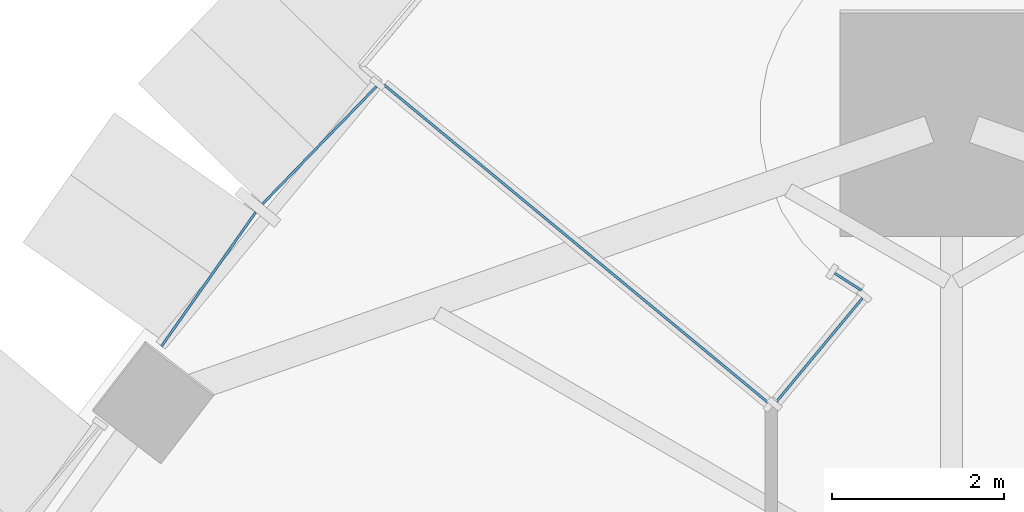
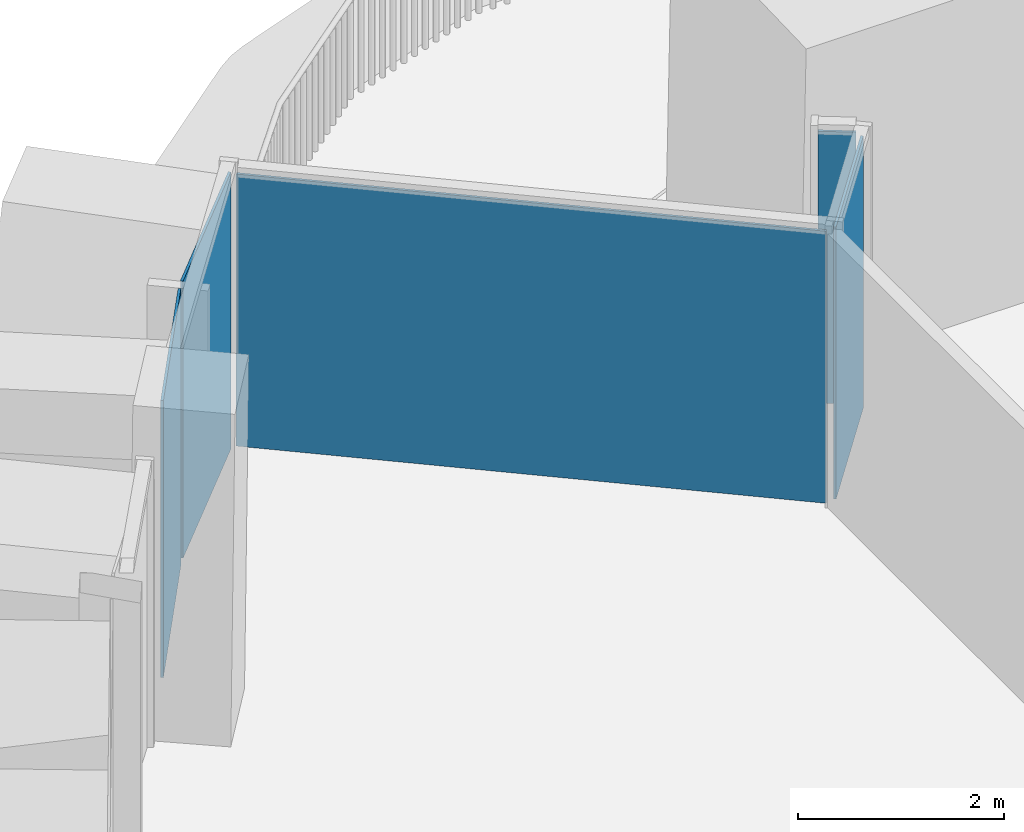
# One storey, part 11 of 22: 5 plates, 4 elements without a shape of their own.
"""IFC4 building model written with IfcOpenShell, lengths in metres."""

from ifc_helpers import new_model, si_unit, direction, frame, origin, origin_2d, place, context, subcontext, project, spatial, polyline, rectangle, outline, extrude, material, layer, layer_set, type_object, element, aggregate, save


model = new_model("IFC4")

# Units and contexts
model_context = context("Model", 3, precision=1e-05, world=origin(), true_north=direction((0.0, 1.0)))
body_context = subcontext(model_context, "Body", "Model", "MODEL_VIEW")
ifc_project = project(units=[si_unit("LENGTHUNIT", "METRE"), si_unit("AREAUNIT", "SQUARE_METRE"), si_unit("VOLUMEUNIT", "CUBIC_METRE"), si_unit("PLANEANGLEUNIT", "RADIAN"), si_unit("MASSUNIT", "GRAM", prefix="KILO")], contexts=[model_context])

# Site, building, storey
site_placement = place(None, origin())
site = spatial("IfcSite", under=ifc_project, at=site_placement, CompositionType="ELEMENT")
building_placement = place(site_placement, origin())
building = spatial("IfcBuilding", under=site, at=building_placement, Name="Sierra Prisma Convention Tower", CompositionType="ELEMENT")
storey_placement = place(building_placement, frame((0.0, 0.0, 141.800048828125)))
storey = spatial("IfcBuildingStorey", under=building, at=storey_placement, Name="L30", CompositionType="ELEMENT", Elevation=141.800048828125)

# Curtain wall, plates
ifc_material_1 = material(Name="Aluminium and glass curtain wall", Category="aluminium")
ifc_layer_1 = layer(ifc_material_1, 0.179931640625)
ifc_layer_set_1 = layer_set([ifc_layer_1], Name="CW-2 Faceted crystal curtain wall")
curtain_wall_type_1 = type_object("IfcCurtainWallType", Name="CW-2 Faceted crystal curtain wall", PredefinedType="NOTDEFINED", material=ifc_layer_set_1)
curtain_wall_1_placement = place(storey_placement, origin())
curtain_wall_1 = element("IfcCurtainWall", 1, at=curtain_wall_1_placement, inside=storey, type_object=curtain_wall_type_1, Name="CW-2 NW1b L30", PredefinedType="NOTDEFINED")
ifc_material_2 = material(Name="Tinted glass bronze-grey IGU", Category="glass")
ifc_layer_2 = layer(ifc_material_2, 0.028076171875)
ifc_layer_set_2 = layer_set([ifc_layer_2], Name="CW-2 crystal pane")
plate_type_1 = type_object("IfcPlateType", Name="CW-2 crystal pane", PredefinedType="CURTAIN_PANEL", material=ifc_layer_set_2)
plate_1_placement = place(storey_placement, frame((-6.706787109375, 28.875, 0.0), z_axis=(-0.718045990171, 0.695995658032, 0.0), x_axis=(-0.695995658032, -0.718045990171, 0.0)))
plate_1 = element("IfcPlate", 2, at=plate_1_placement, type_object=plate_type_1, Name="CW-2 pane NW1b.1.1", PredefinedType="CURTAIN_PANEL", context=body_context, shape_type="SweptSolid", body=[
    extrude(outline(polyline([(0.0, 0.0), (1.9043789107429956, 0.0), (1.9043789107429956, 3.280029296875), (0.0, 3.280029296875), (0.0, 0.0)])), origin(), (0.0, 0.0, -1.0), 0.028076171875),
])
plate_2_placement = place(storey_placement, frame((-9.210205078125, 25.849609375, 0.0), z_axis=(-0.818110198506, 0.575061477671, 0.0), x_axis=(0.575061477671, 0.818110198506, 0.0)))
plate_2 = element("IfcPlate", 3, at=plate_2_placement, type_object=plate_type_1, Name="CW-2 pane NW1b.1.2", PredefinedType="CURTAIN_PANEL", context=body_context, shape_type="SweptSolid", body=[
    extrude(outline(polyline([(0.0, 0.0), (1.904517840745787, 0.0), (1.904517840745787, -3.280029296875), (0.0, -3.280029296875), (0.0, 0.0)])), origin(), (0.0, 0.0, -1.0), 0.028076171875),
])
aggregate(curtain_wall_1, [plate_1, plate_2])

# Curtain wall, plate
ifc_material_3 = material(Name="Aluminium and glass curtain wall", Category="aluminium")
ifc_layer_3 = layer(ifc_material_3, 0.179931640625)
ifc_layer_set_3 = layer_set([ifc_layer_3], Name="CW-6 Terrace recess curtain wall")
curtain_wall_type_2 = type_object("IfcCurtainWallType", Name="CW-6 Terrace recess curtain wall", PredefinedType="NOTDEFINED", material=ifc_layer_set_3)
curtain_wall_2_placement = place(storey_placement, origin())
curtain_wall_2 = element("IfcCurtainWall", 4, at=curtain_wall_2_placement, inside=storey, type_object=curtain_wall_type_2, Name="CW-6 R34 L30", PredefinedType="NOTDEFINED")
ifc_material_4 = material(Name="Tinted glass bronze-grey IGU", Category="glass")
ifc_layer_4 = layer(ifc_material_4, 0.028076171875)
ifc_layer_set_4 = layer_set([ifc_layer_4], Name="CW-6 glass panel")
plate_type_2 = type_object("IfcPlateType", Name="CW-6 glass panel", PredefinedType="CURTAIN_PANEL", material=ifc_layer_set_4)
plate_3_placement = place(storey_placement, frame((-1.20654296875, 26.59130859375, 0.0), z_axis=(0.0, 0.0, 1.0), x_axis=(0.84239615328, -0.53885872076, 0.0)))
plate_3 = element("IfcPlate", 5, at=plate_3_placement, type_object=plate_type_2, Name="CW-6 panel R34.1", PredefinedType="CURTAIN_PANEL", context=body_context, shape_type="SweptSolid", body=[
    extrude(rectangle(XDim=0.3671875, YDim=0.028076171875, at=origin_2d()), origin(), (0.0, 0.0, 1.0), 3.219970703125),
])
aggregate(curtain_wall_2, [plate_3])

curtain_wall_3_placement = place(storey_placement, origin())
curtain_wall_3 = element("IfcCurtainWall", 6, at=curtain_wall_3_placement, inside=storey, type_object=curtain_wall_type_2, Name="CW-6 R35 L30", PredefinedType="NOTDEFINED")
plate_4_placement = place(storey_placement, frame((-1.53857421875, 25.7978515625, 0.0), z_axis=(0.0, 0.0, 1.0), x_axis=(-0.63907436322, -0.769144952707, 0.0)))
plate_4 = element("IfcPlate", 7, at=plate_4_placement, type_object=plate_type_2, Name="CW-6 panel R35.1", PredefinedType="CURTAIN_PANEL", context=body_context, shape_type="SweptSolid", body=[
    extrude(rectangle(XDim=1.568115234375, YDim=0.028076171875, at=origin_2d()), origin(), (0.0, 0.0, 1.0), 3.219970703125),
])
aggregate(curtain_wall_3, [plate_4])

curtain_wall_4_placement = place(storey_placement, origin())
curtain_wall_4 = element("IfcCurtainWall", 8, at=curtain_wall_4_placement, inside=storey, type_object=curtain_wall_type_2, Name="CW-6 RT2 L30", PredefinedType="NOTDEFINED")
plate_5_placement = place(storey_placement, frame((-4.373291015625, 27.034912109375, 0.0), z_axis=(0.0, 0.0, 1.0), x_axis=(-0.770431074158, 0.637523301513, 0.0)))
plate_5 = element("IfcPlate", 9, at=plate_5_placement, type_object=plate_type_2, Name="CW-6 panel RT2.1", PredefinedType="CURTAIN_PANEL", context=body_context, shape_type="SweptSolid", body=[
    extrude(rectangle(XDim=5.8017578125, YDim=0.028076171875, at=origin_2d()), origin(), (0.0, 0.0, 1.0), 3.219970703125),
])
aggregate(curtain_wall_4, [plate_5])

save(model, "model.ifc")
